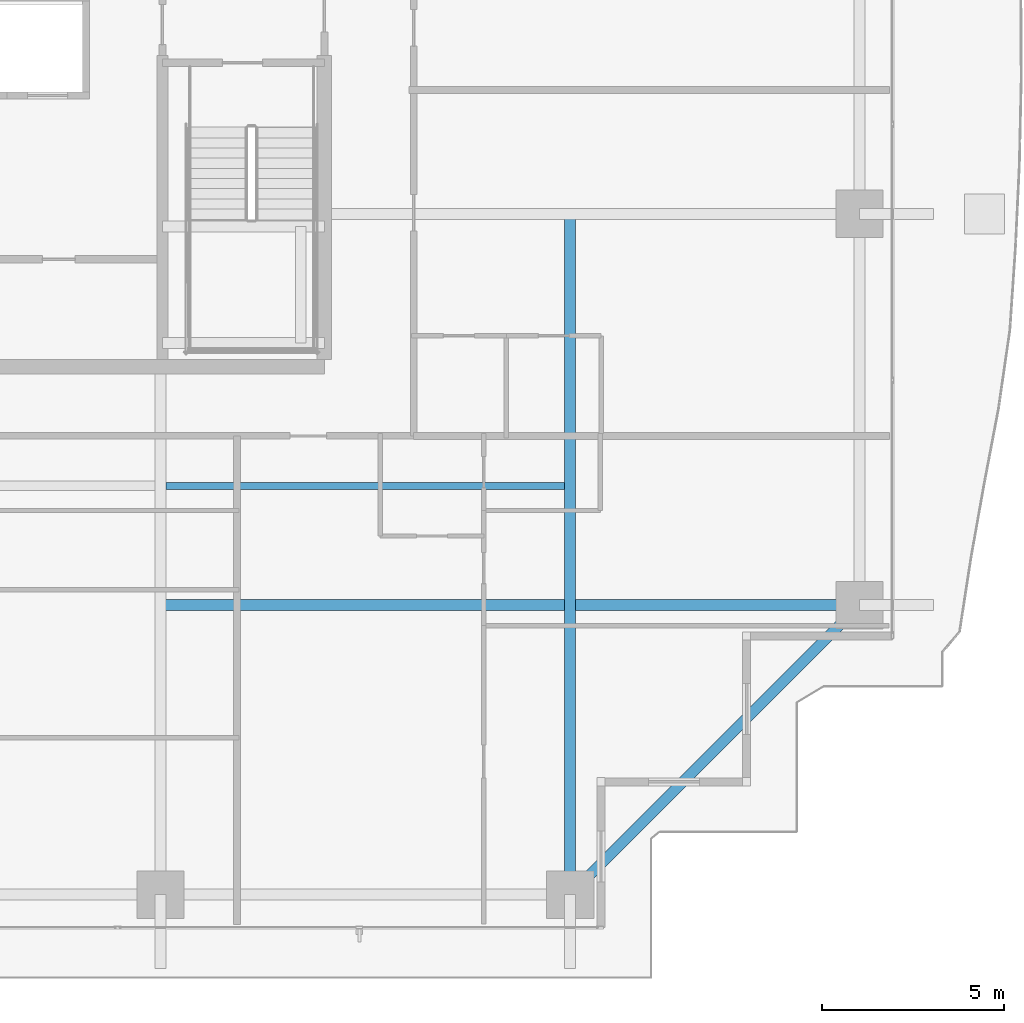
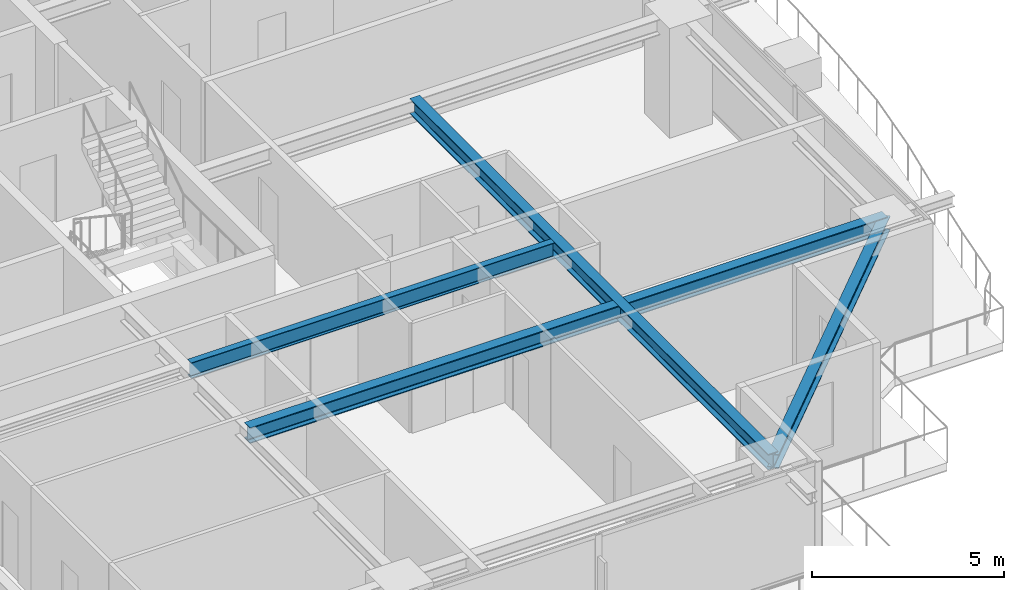
# One storey, part 11 of 34: 4 beams.
"""IFC4 building model written with IfcOpenShell, lengths in metres."""

from ifc_helpers import new_model, si_unit, direction, frame, origin, origin_2d, place, context, subcontext, project, spatial, i_section, extrude, source, transform, mapped, material, material_profile, profile_set, type_object, element, save


model = new_model("IFC4")

# Units and contexts
model_context = context("Model", 3, precision=1e-05, world=origin(), true_north=direction((0.0, 1.0)))
body_context = subcontext(model_context, "Body", "Model", "MODEL_VIEW")
ifc_project = project(units=[si_unit("LENGTHUNIT", "METRE"), si_unit("AREAUNIT", "SQUARE_METRE"), si_unit("VOLUMEUNIT", "CUBIC_METRE"), si_unit("PLANEANGLEUNIT", "RADIAN"), si_unit("MASSUNIT", "GRAM", prefix="KILO")], contexts=[model_context])

# Site, building, storey
site_placement = place(None, origin())
site = spatial("IfcSite", under=ifc_project, at=site_placement, CompositionType="ELEMENT")
building_placement = place(site_placement, origin())
building = spatial("IfcBuilding", under=site, at=building_placement, Name="Serunith Strait Residences", CompositionType="ELEMENT")
storey_placement = place(building_placement, frame((0.0, 0.0, 180.14990234375)))
storey = spatial("IfcBuildingStorey", under=building, at=storey_placement, Name="L45", CompositionType="ELEMENT", Elevation=180.14990234375)

# Beams
ifc_material = material(Name="Steel S355J2", Category="steel")
ifc_material_profile_1 = material_profile(ifc_material, i_section(OverallWidth=0.300048828125, OverallDepth=0.5, WebThickness=0.014404296875, FlangeThickness=0.028076171875, FilletRadius=0.027099609375, at=origin_2d()), Name="HEB 500")
ifc_profile_set_1 = profile_set([ifc_material_profile_1], Name="Steel S355J2")
beam_type_1 = type_object("IfcBeamType", Name="BM-HEB500", PredefinedType="BEAM", material=ifc_profile_set_1)
shared_shape_1 = source(origin(), body_context, "Body", "SweptSolid", [
    extrude(i_section(OverallWidth=0.300048828125, OverallDepth=0.5, WebThickness=0.014404296875, FlangeThickness=0.028076171875, FilletRadius=0.027099609375, at=origin_2d()), origin(), (0.0, 0.0, 1.0), 18.699951171875),
])
beam_1_placement = place(storey_placement, frame((48.14990234375, 21.0, 3.237060546875), z_axis=(0.0, -1.0, 0.0), x_axis=(1.0, 0.0, 0.0)))
element("IfcBeam", 1, at=beam_1_placement, inside=storey, type_object=beam_type_1, Name="L45 Orthogonal Corner Girder TC-S4", PredefinedType="BEAM", context=body_context, shape_type="MappedRepresentation", body=[
    mapped(shared_shape_1, transform((0.0, 0.0, 0.0), scale=1.0)),
])
shared_shape_2 = source(origin(), body_context, "Body", "SweptSolid", [
    extrude(i_section(OverallWidth=0.300048828125, OverallDepth=0.5, WebThickness=0.014404296875, FlangeThickness=0.028076171875, FilletRadius=0.027099609375, at=origin_2d()), origin(), (0.0, 0.0, 1.0), 19.2001953125),
])
beam_2_placement = place(storey_placement, frame((36.89990234375, 10.25, 3.237060546875), z_axis=(1.0, 0.0, 0.0), x_axis=(0.0, 1.0, 0.0)))
element("IfcBeam", 2, at=beam_2_placement, inside=storey, type_object=beam_type_1, Name="L45 Orthogonal Corner Girder TC-E1", PredefinedType="BEAM", context=body_context, shape_type="MappedRepresentation", body=[
    mapped(shared_shape_2, transform((0.0, 0.0, 0.0), scale=1.0)),
])
ifc_material_profile_2 = material_profile(ifc_material, i_section(OverallWidth=0.300048828125, OverallDepth=0.449951171875, WebThickness=0.013916015625, FlangeThickness=0.02587890625, FilletRadius=0.027099609375, at=origin_2d()), Name="HEB 450")
ifc_profile_set_2 = profile_set([ifc_material_profile_2], Name="Steel S355J2")
beam_type_2 = type_object("IfcBeamType", Name="BM-HEB450", PredefinedType="BEAM", material=ifc_profile_set_2)
shared_shape_3 = source(origin(), body_context, "Body", "SweptSolid", [
    extrude(i_section(OverallWidth=0.300048828125, OverallDepth=0.449951171875, WebThickness=0.013916015625, FlangeThickness=0.02587890625, FilletRadius=0.027099609375, at=origin_2d()), origin(), (0.0, 0.0, 1.0), 11.2431640625),
])
beam_3_placement = place(storey_placement, frame((48.14990234375, 2.300048828125, 3.232177734375), z_axis=(0.707117638455, 0.707095923751, 0.0), x_axis=(-0.707095923751, 0.707117638455, 0.0)))
element("IfcBeam", 3, at=beam_3_placement, inside=storey, type_object=beam_type_2, Name="L45 Perimeter Ring Beam 04", PredefinedType="BEAM", context=body_context, shape_type="MappedRepresentation", body=[
    mapped(shared_shape_3, transform((0.0, 0.0, 0.0), scale=1.0)),
])
ifc_material_profile_3 = material_profile(ifc_material, i_section(OverallWidth=0.199951171875, OverallDepth=0.5, WebThickness=0.01025390625, FlangeThickness=0.01611328125, FilletRadius=0.02099609375, at=origin_2d()), Name="IPE 500")
ifc_profile_set_3 = profile_set([ifc_material_profile_3], Name="Steel S355J2")
beam_type_3 = type_object("IfcBeamType", Name="BM-IPE500", PredefinedType="JOIST", material=ifc_profile_set_3)
shared_shape_4 = source(origin(), body_context, "Body", "SweptSolid", [
    extrude(i_section(OverallWidth=0.199951171875, OverallDepth=0.5, WebThickness=0.01025390625, FlangeThickness=0.01611328125, FilletRadius=0.02099609375, at=origin_2d()), origin(), (0.0, 0.0, 1.0), 10.949951171875),
])
beam_4_placement = place(storey_placement, frame((37.050048828125, 13.52490234375, 3.237060546875), z_axis=(1.0, 0.0, 0.0), x_axis=(0.0, 1.0, 0.0)))
element("IfcBeam", 4, at=beam_4_placement, inside=storey, type_object=beam_type_3, Name="L45 Composite Floor Joist 03", PredefinedType="JOIST", context=body_context, shape_type="MappedRepresentation", body=[
    mapped(shared_shape_4, transform((0.0, 0.0, 0.0), scale=1.0)),
])

save(model, "model.ifc")
